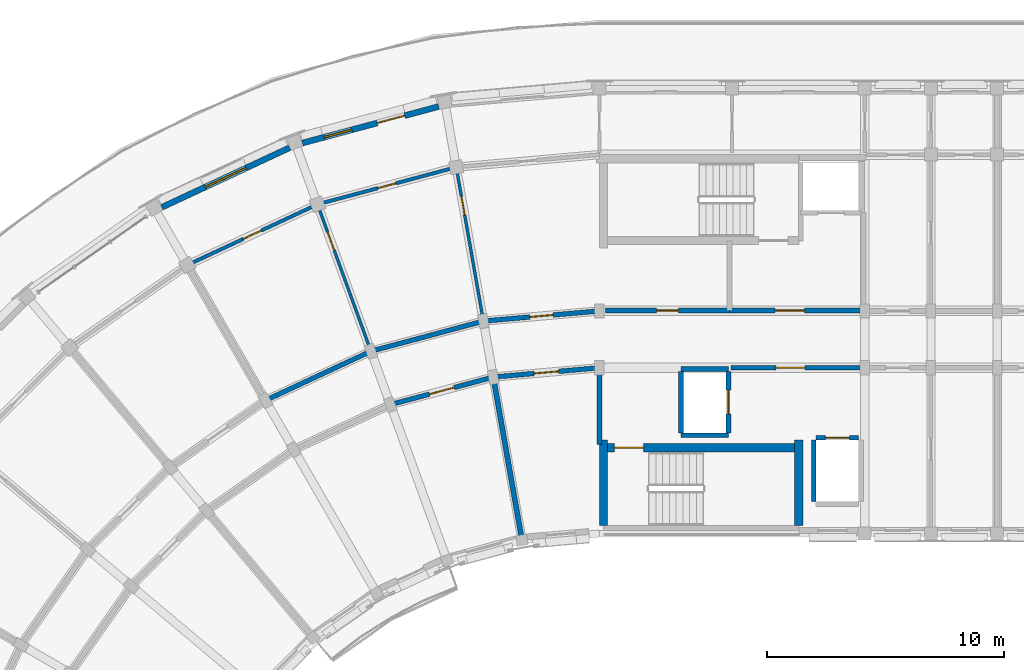
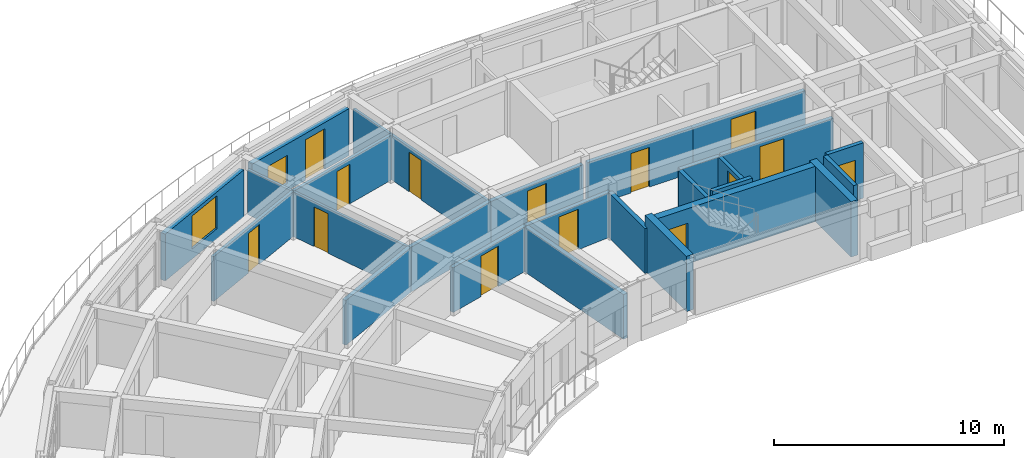
# One storey, part 9 of 16: 25 walls, 14 doors, 2 windows, 16 openings.
"""IFC4 building model written with IfcOpenShell, lengths in metres."""

from ifc_helpers import new_model, si_unit, direction, frame, frame_2d, origin, place, context, subcontext, project, spatial, rectangle, extrude, material, layer, layer_set, type_object, element, fill, save


model = new_model("IFC4")

# Units and contexts
model_context = context("Model", 3, precision=1e-05, world=origin(), true_north=direction((0.0, 1.0)))
body_context = subcontext(model_context, "Body", "Model", "MODEL_VIEW")
ifc_project = project(units=[si_unit("LENGTHUNIT", "METRE"), si_unit("AREAUNIT", "SQUARE_METRE"), si_unit("VOLUMEUNIT", "CUBIC_METRE"), si_unit("PLANEANGLEUNIT", "RADIAN"), si_unit("MASSUNIT", "GRAM", prefix="KILO")], contexts=[model_context])

# Site, building, storey
site_placement = place(None, origin())
site = spatial("IfcSite", under=ifc_project, at=site_placement, CompositionType="ELEMENT")
building_placement = place(site_placement, origin())
building = spatial("IfcBuilding", under=site, at=building_placement, Name="Kiranvali Square Residences", CompositionType="ELEMENT")
storey_placement = place(building_placement, frame((0.0, 0.0, 46.5)))
storey = spatial("IfcBuildingStorey", under=building, at=storey_placement, Name="L14", CompositionType="ELEMENT", Elevation=46.5)

# Wall, opening, door
ifc_material_1 = material(Name="Autoclaved aerated concrete blockwork masonry", Category="masonry")
ifc_layer_1 = layer(ifc_material_1, 0.199951171875)
ifc_layer_set_1 = layer_set([ifc_layer_1], Name="Autoclaved aerated concrete blockwork masonry")
wall_type_1 = type_object("IfcWallType", Name="WL-COR-200", PredefinedType="STANDARD", material=ifc_layer_set_1)
wall_1_placement = place(storey_placement, frame((53.75, 113.60009765625, 0.0), z_axis=(0.0, 0.0, 1.0), x_axis=(1.0, 0.0, 0.0)))
wall_1 = element("IfcWall", 1, at=wall_1_placement, inside=storey, type_object=wall_type_1, Name="L14 architectural wall WL-L14-A-LL-COR", PredefinedType="STANDARD", context=body_context, shape_type="SweptSolid", body=[
    extrude(rectangle(XDim=5.60009765625, YDim=0.199951171875, at=frame_2d((2.800048828125, 0.0))), origin(), (0.0, 0.0, 1.0), 2.3720703125),
])
opening_1_placement = place(wall_1_placement, frame((1.909912109375, 0.0, 0.0)))
opening_1 = element("IfcOpeningElement", 2, at=opening_1_placement, cuts=wall_1, Name="Opening FD-COR-60", PredefinedType="OPENING", context=body_context, shape_type="SweptSolid", body=[
    extrude(rectangle(XDim=1.219970703125, YDim=2.14990234375, at=frame_2d((0.60986328125, 1.074951171875))), frame((0.0, 0.10986328125, 0.0), z_axis=(0.0, -1.0, 0.0), x_axis=(1.0, 0.0, 0.0)), (0.0, 0.0, 1.0), 0.219970703125),
])
ifc_material_2 = material(Name="Fire-rated acoustic hardwood and mineral-core door assembly", Category="wood")
door_type_1 = type_object("IfcDoorType", Name="DR-FD60-1200", OperationType="NOTDEFINED", PredefinedType="DOOR", material=ifc_material_2)
door_1_placement = place(opening_1_placement, frame((1.219970703125, 0.0, 0.0), z_axis=(0.0, 0.0, 1.0), x_axis=(-1.0, 0.0, 0.0)))
door_1 = element("IfcDoor", 3, at=door_1_placement, inside=storey, type_object=door_type_1, Name="L14 door DR-L14-0856 (DR-FD60-1200)", OperationType="SINGLE_SWING_RIGHT", OverallHeight=2.14990234375, OverallWidth=1.219970703125, PredefinedType="DOOR", context=body_context, shape_type="SweptSolid", body=[
    extrude(rectangle(XDim=1.219970703125, YDim=2.14990234375, at=frame_2d((0.60986328125, 1.074951171875))), frame((0.0, 0.02490234375, 0.0), z_axis=(0.0, -1.0, 0.0), x_axis=(1.0, 0.0, 0.0)), (0.0, 0.0, 1.0), 0.050048828125),
])
fill(opening_1, door_1)

wall_2_placement = place(storey_placement, frame((48.199951171875, 113.60009765625, 0.0), z_axis=(0.0, 0.0, 1.0), x_axis=(-0.996191949488, -0.087187153726, 0.0)))
wall_2 = element("IfcWall", 4, at=wall_2_placement, inside=storey, type_object=wall_type_1, Name="L14 architectural wall WL-L14-A-CCI-0", PredefinedType="STANDARD", context=body_context, shape_type="SweptSolid", body=[
    extrude(rectangle(XDim=4.4970703125, YDim=0.199951171875, at=frame_2d((2.24853515625, 0.0))), origin(), (0.0, 0.0, 1.0), 2.3720703125),
])
opening_2_placement = place(wall_2_placement, frame((1.728515625, 0.0, 0.0)))
opening_2 = element("IfcOpeningElement", 5, at=opening_2_placement, cuts=wall_2, Name="Opening FD-APT-60B", PredefinedType="OPENING", context=body_context, shape_type="SweptSolid", body=[
    extrude(rectangle(XDim=1.0400390625, YDim=2.14990234375, at=frame_2d((0.52001953125, 1.074951171875))), frame((0.0, 0.10986328125, 0.0), z_axis=(0.0, -1.0, 0.0), x_axis=(1.0, 0.0, 0.0)), (0.0, 0.0, 1.0), 0.219970703125),
])
door_type_2 = type_object("IfcDoorType", Name="DR-APT-1040", OperationType="NOTDEFINED", PredefinedType="DOOR", material=ifc_material_2)
door_2_placement = place(opening_2_placement, frame((1.0400390625, 0.0, 0.0), z_axis=(0.0, 0.0, 1.0), x_axis=(-1.0, 0.0, 0.0)))
door_2 = element("IfcDoor", 6, at=door_2_placement, inside=storey, type_object=door_type_2, Name="L14 door DR-L14-0890 (DR-APT-1040)", OperationType="SINGLE_SWING_RIGHT", OverallHeight=2.14990234375, OverallWidth=1.0400390625, PredefinedType="DOOR", context=body_context, shape_type="SweptSolid", body=[
    extrude(rectangle(XDim=1.0400390625, YDim=2.14990234375, at=frame_2d((0.52001953125, 1.074951171875))), frame((0.0, 0.02490234375, 0.0), z_axis=(0.0, -1.0, 0.0), x_axis=(1.0, 0.0, 0.0)), (0.0, 0.0, 1.0), 0.050048828125),
])
fill(opening_2, door_2)

wall_3_placement = place(storey_placement, frame((48.199951171875, 116.0, 0.0), z_axis=(0.0, 0.0, 1.0), x_axis=(-0.996193663584, -0.087167566415, 0.0)))
wall_3 = element("IfcWall", 7, at=wall_3_placement, inside=storey, type_object=wall_type_1, Name="L14 architectural wall WL-L14-A-CCO-0", PredefinedType="STANDARD", context=body_context, shape_type="SweptSolid", body=[
    extrude(rectangle(XDim=4.91552734375, YDim=0.199951171875, at=frame_2d((2.457763671875, 0.0))), origin(), (0.0, 0.0, 1.0), 2.3720703125),
])
opening_3_placement = place(wall_3_placement, frame((1.957763671875, 0.0, 0.0)))
opening_3 = element("IfcOpeningElement", 8, at=opening_3_placement, cuts=wall_3, Name="Opening FD-APT-60", PredefinedType="OPENING", context=body_context, shape_type="SweptSolid", body=[
    extrude(rectangle(XDim=1.0, YDim=2.14990234375, at=frame_2d((0.5, 1.074951171875))), frame((0.0, 0.10986328125, 0.0), z_axis=(0.0, -1.0, 0.0), x_axis=(1.0, 0.0, 0.0)), (0.0, 0.0, 1.0), 0.219970703125),
])
door_type_3 = type_object("IfcDoorType", Name="DR-APT-1000", OperationType="NOTDEFINED", PredefinedType="DOOR", material=ifc_material_2)
door_3_placement = place(opening_3_placement, frame((1.0, 0.0, 0.0), z_axis=(0.0, 0.0, 1.0), x_axis=(-1.0, 0.0, 0.0)))
door_3 = element("IfcDoor", 9, at=door_3_placement, inside=storey, type_object=door_type_3, Name="L14 door DR-L14-0876 (DR-APT-1000)", OperationType="SINGLE_SWING_RIGHT", OverallHeight=2.14990234375, OverallWidth=1.0, PredefinedType="DOOR", context=body_context, shape_type="SweptSolid", body=[
    extrude(rectangle(XDim=1.0, YDim=2.14990234375, at=frame_2d((0.5, 1.074951171875))), frame((0.0, 0.02490234375, 0.0), z_axis=(0.0, -1.0, 0.0), x_axis=(1.0, 0.0, 0.0)), (0.0, 0.0, 1.0), 0.050048828125),
])
fill(opening_3, door_3)

wall_4_placement = place(storey_placement, frame((43.719970703125, 113.2080078125, 0.0), z_axis=(0.0, 0.0, 1.0), x_axis=(-0.965934240054, -0.258787642463, 0.0)))
wall_4 = element("IfcWall", 10, at=wall_4_placement, inside=storey, type_object=wall_type_1, Name="L14 architectural wall WL-L14-A-CCI-1", PredefinedType="STANDARD", context=body_context, shape_type="SweptSolid", body=[
    extrude(rectangle(XDim=4.497314453125, YDim=0.199951171875, at=frame_2d((2.24853515625, 0.0))), origin(), (0.0, 0.0, 1.0), 2.3720703125),
])
opening_4_placement = place(wall_4_placement, frame((1.708740234375, 0.0, 0.0)))
opening_4 = element("IfcOpeningElement", 11, at=opening_4_placement, cuts=wall_4, Name="Opening FD-APT-60C", PredefinedType="OPENING", context=body_context, shape_type="SweptSolid", body=[
    extrude(rectangle(XDim=1.080078125, YDim=2.14990234375, at=frame_2d((0.5400390625, 1.074951171875))), frame((0.0, 0.10986328125, 0.0), z_axis=(0.0, -1.0, 0.0), x_axis=(1.0, 0.0, 0.0)), (0.0, 0.0, 1.0), 0.219970703125),
])
door_type_4 = type_object("IfcDoorType", Name="DR-APT-1080", OperationType="NOTDEFINED", PredefinedType="DOOR", material=ifc_material_2)
door_4_placement = place(opening_4_placement, origin())
door_4 = element("IfcDoor", 12, at=door_4_placement, inside=storey, type_object=door_type_4, Name="L14 door DR-L14-0891 (DR-APT-1080)", OperationType="SINGLE_SWING_LEFT", OverallHeight=2.14990234375, OverallWidth=1.080078125, PredefinedType="DOOR", context=body_context, shape_type="SweptSolid", body=[
    extrude(rectangle(XDim=1.080078125, YDim=2.14990234375, at=frame_2d((0.5400390625, 1.074951171875))), frame((0.0, 0.02490234375, 0.0), z_axis=(0.0, -1.0, 0.0), x_axis=(1.0, 0.0, 0.0)), (0.0, 0.0, 1.0), 0.050048828125),
])
fill(opening_4, door_4)

# Walls
wall_5_placement = place(storey_placement, frame((43.30322265625, 115.571533203125, 0.0), z_axis=(0.0, 0.0, 1.0), x_axis=(-0.965930095386, -0.258803112091, 0.0)))
element("IfcWall", 13, at=wall_5_placement, inside=storey, type_object=wall_type_1, Name="L14 architectural wall WL-L14-A-CCO-1", PredefinedType="STANDARD", context=body_context, shape_type="SweptSolid", body=[
    extrude(rectangle(XDim=4.915771484375, YDim=0.199951171875, at=frame_2d((2.4580078125, 0.0))), origin(), (0.0, 0.0, 1.0), 2.3720703125),
])
wall_6_placement = place(storey_placement, frame((38.554931640625, 114.29931640625, 0.0), z_axis=(0.0, 0.0, 1.0), x_axis=(-0.906302381024, -0.422629854778, 0.0)))
element("IfcWall", 14, at=wall_6_placement, inside=storey, type_object=wall_type_1, Name="L14 architectural wall WL-L14-A-CCO-2", PredefinedType="STANDARD", context=body_context, shape_type="SweptSolid", body=[
    extrude(rectangle(XDim=4.915283203125, YDim=0.199951171875, at=frame_2d((2.45751953125, 0.0))), origin(), (0.0, 0.0, 1.0), 2.3720703125),
])
ifc_layer_2 = layer(ifc_material_1, 0.219970703125)
ifc_layer_set_2 = layer_set([ifc_layer_2], Name="Autoclaved aerated concrete blockwork masonry")
wall_type_2 = type_object("IfcWallType", Name="WL-DEM-220", PredefinedType="STANDARD", material=ifc_layer_set_2)
wall_7_placement = place(storey_placement, frame((48.199951171875, 110.35009765625, 0.0), z_axis=(0.0, 0.0, 1.0), x_axis=(0.0, 1.0, 0.0)))
element("IfcWall", 15, at=wall_7_placement, inside=storey, type_object=wall_type_2, Name="L14 architectural wall WL-L14-A-RADI-0", PredefinedType="STANDARD", context=body_context, shape_type="SweptSolid", body=[
    extrude(rectangle(XDim=3.199951171875, YDim=0.219970703125, at=frame_2d((1.60009765625, 0.0))), origin(), (0.0, 0.0, 1.0), 2.3720703125),
])
wall_8_placement = place(storey_placement, frame((44.900634765625, 106.51123046875, 0.0), z_axis=(0.0, 0.0, 1.0), x_axis=(-0.173647089161, 0.984807944945, 0.0)))
element("IfcWall", 16, at=wall_8_placement, inside=storey, type_object=wall_type_2, Name="L14 architectural wall WL-L14-A-RADI-1", PredefinedType="STANDARD", context=body_context, shape_type="SweptSolid", body=[
    extrude(rectangle(XDim=6.75, YDim=0.219970703125, at=frame_2d((3.375, 0.0))), origin(), (0.0, 0.0, 1.0), 2.3720703125),
])

# Wall, openings, door, window
ifc_material_3 = material(Name="Breathable lime-rendered clay brick masonry", Category="masonry")
ifc_layer_3 = layer(ifc_material_3, 0.25)
ifc_layer_set_3 = layer_set([ifc_layer_3], Name="Breathable lime-rendered clay brick masonry")
wall_type_3 = type_object("IfcWallType", Name="WL-EXT-250", PredefinedType="STANDARD", material=ifc_layer_set_3)
wall_9_placement = place(storey_placement, frame((41.412841796875, 124.63037109375, 0.0), z_axis=(0.0, 0.0, 1.0), x_axis=(-0.965925901434, -0.258818764656, 0.0)))
wall_9 = element("IfcWall", 17, at=wall_9_placement, inside=storey, type_object=wall_type_3, Name="L14 exterior wall A-L14-CRV-01", PredefinedType="STANDARD", context=body_context, shape_type="SweptSolid", body=[
    extrude(rectangle(XDim=5.953125, YDim=0.25, at=frame_2d((2.9765625, 0.0))), origin(), (0.0, 0.0, 1.0), 2.47998046875),
])
opening_5_placement = place(wall_9_placement, frame((3.79345703125, 0.0, 0.3798828125)))
opening_5 = element("IfcOpeningElement", 18, at=opening_5_placement, cuts=wall_9, Name="Opening W-06", PredefinedType="OPENING", context=body_context, shape_type="SweptSolid", body=[
    extrude(rectangle(XDim=1.199951171875, YDim=1.5, at=frame_2d((0.60009765625, 0.75))), frame((0.0, 0.135009765625, 0.0), z_axis=(0.0, -1.0, 0.0), x_axis=(1.0, 0.0, 0.0)), (0.0, 0.0, 1.0), 0.27001953125),
])
opening_6_placement = place(wall_9_placement, frame((1.483642578125, 0.0, 0.0)))
opening_6 = element("IfcOpeningElement", 19, at=opening_6_placement, cuts=wall_9, Name="Opening ED-BAL-1", PredefinedType="OPENING", context=body_context, shape_type="SweptSolid", body=[
    extrude(rectangle(XDim=1.199951171875, YDim=2.14990234375, at=frame_2d((0.60009765625, 1.074951171875))), frame((0.0, 0.135009765625, 0.0), z_axis=(0.0, -1.0, 0.0), x_axis=(1.0, 0.0, 0.0)), (0.0, 0.0, 1.0), 0.27001953125),
])
ifc_material_4 = material(Name="Anodised bronze aluminium framing", Category="aluminium")
door_type_5 = type_object("IfcDoorType", Name="DR-BAL-1200", OperationType="NOTDEFINED", PredefinedType="DOOR", material=ifc_material_4)
door_5_placement = place(opening_6_placement, frame((1.199951171875, 0.0, 0.0), z_axis=(0.0, 0.0, 1.0), x_axis=(-1.0, 0.0, 0.0)))
door_5 = element("IfcDoor", 20, at=door_5_placement, inside=storey, type_object=door_type_5, Name="L14 balcony terrace door", OperationType="SINGLE_SWING_RIGHT", OverallHeight=2.14990234375, OverallWidth=1.199951171875, PredefinedType="DOOR", context=body_context, shape_type="SweptSolid", body=[
    extrude(rectangle(XDim=1.199951171875, YDim=2.14990234375, at=frame_2d((0.60009765625, 1.074951171875))), frame((0.0, 0.02490234375, 0.0), z_axis=(0.0, -1.0, 0.0), x_axis=(1.0, 0.0, 0.0)), (0.0, 0.0, 1.0), 0.050048828125),
])
fill(opening_6, door_5)
ifc_material_5 = material(Name="Solar-control low-e double glazing", Category="glass")
window_type_1 = type_object("IfcWindowType", Name="WIN-RES-1200x1500", PartitioningType="SINGLE_PANEL", PredefinedType="WINDOW", material=ifc_material_5)
window_1_placement = place(opening_5_placement, origin())
window_1 = element("IfcWindow", 21, at=window_1_placement, inside=storey, type_object=window_type_1, Name="L14 recessed window A-L14-CRV-01", OverallHeight=1.5, OverallWidth=1.199951171875, PartitioningType="SINGLE_PANEL", PredefinedType="WINDOW", context=body_context, shape_type="SweptSolid", body=[
    extrude(rectangle(XDim=1.199951171875, YDim=1.5, at=frame_2d((0.60009765625, 0.75))), frame((0.0, 0.030029296875, 0.0), z_axis=(0.0, -1.0, 0.0), x_axis=(1.0, 0.0, 0.0)), (0.0, 0.0, 1.0), 0.06005859375),
])
fill(opening_5, window_1)

# Wall, opening, window
wall_10_placement = place(storey_placement, frame((35.120361328125, 122.89208984375, 0.0), z_axis=(0.0, 0.0, 1.0), x_axis=(-0.90629940826, -0.422636229619, 0.0)))
wall_10 = element("IfcWall", 22, at=wall_10_placement, inside=storey, type_object=wall_type_3, Name="L14 exterior wall A-L14-CRV-02", PredefinedType="STANDARD", context=body_context, shape_type="SweptSolid", body=[
    extrude(rectangle(XDim=5.952880859375, YDim=0.25, at=frame_2d((2.9765625, 0.0))), origin(), (0.0, 0.0, 1.0), 2.47998046875),
])
opening_7_placement = place(wall_10_placement, frame((2.026611328125, 0.0, 0.530029296875)))
opening_7 = element("IfcOpeningElement", 23, at=opening_7_placement, cuts=wall_10, Name="Opening W-21", PredefinedType="OPENING", context=body_context, shape_type="SweptSolid", body=[
    extrude(rectangle(XDim=1.89990234375, YDim=1.75, at=frame_2d((0.949951171875, 0.875))), frame((0.0, 0.135009765625, 0.0), z_axis=(0.0, -1.0, 0.0), x_axis=(1.0, 0.0, 0.0)), (0.0, 0.0, 1.0), 0.27001953125),
])
window_type_2 = type_object("IfcWindowType", Name="WIN-TER-1900x1750", PartitioningType="DOUBLE_PANEL_VERTICAL", PredefinedType="WINDOW", material=ifc_material_5)
window_2_placement = place(opening_7_placement, origin())
window_2 = element("IfcWindow", 24, at=window_2_placement, inside=storey, type_object=window_type_2, Name="L14 recessed window A-L14-CRV-02", OverallHeight=1.75, OverallWidth=1.89990234375, PartitioningType="DOUBLE_PANEL_VERTICAL", PredefinedType="WINDOW", context=body_context, shape_type="SweptSolid", body=[
    extrude(rectangle(XDim=1.89990234375, YDim=1.75, at=frame_2d((0.949951171875, 0.875))), frame((0.0, 0.030029296875, 0.0), z_axis=(0.0, -1.0, 0.0), x_axis=(1.0, 0.0, 0.0)), (0.0, 0.0, 1.0), 0.06005859375),
])
fill(opening_7, window_2)

# Wall, opening, door
ifc_layer_4 = layer(ifc_material_1, 0.199951171875)
ifc_layer_set_4 = layer_set([ifc_layer_4], Name="Autoclaved aerated concrete blockwork masonry")
wall_type_4 = type_object("IfcWallType", Name="WL-FFL-200", PredefinedType="STANDARD", material=ifc_layer_set_4)
wall_11_placement = place(storey_placement, frame((53.699951171875, 116.02001953125, 0.0), z_axis=(0.0, 0.0, 1.0), x_axis=(1.0, 0.0, 0.0)))
wall_11 = element("IfcWall", 25, at=wall_11_placement, inside=storey, type_object=wall_type_4, Name="L14 architectural wall WL-L14-A-FF-COR", PredefinedType="STANDARD", context=body_context, shape_type="SweptSolid", body=[
    extrude(rectangle(XDim=5.650146484375, YDim=0.199951171875, at=frame_2d((2.8251953125, 0.0))), origin(), (0.0, 0.0, 1.0), 2.3720703125),
])
opening_8_placement = place(wall_11_placement, frame((1.922607421875, 0.0, 0.0)))
opening_8 = element("IfcOpeningElement", 26, at=opening_8_placement, cuts=wall_11, Name="Opening FD-ST-120", PredefinedType="OPENING", context=body_context, shape_type="SweptSolid", body=[
    extrude(rectangle(XDim=1.239990234375, YDim=2.14990234375, at=frame_2d((0.6201171875, 1.074951171875))), frame((0.0, 0.10986328125, 0.0), z_axis=(0.0, -1.0, 0.0), x_axis=(1.0, 0.0, 0.0)), (0.0, 0.0, 1.0), 0.219970703125),
])
door_type_6 = type_object("IfcDoorType", Name="DR-FD120-1200", OperationType="NOTDEFINED", PredefinedType="DOOR", material=ifc_material_2)
door_6_placement = place(opening_8_placement, frame((1.239990234375, 0.0, 0.0), z_axis=(0.0, 0.0, 1.0), x_axis=(-1.0, 0.0, 0.0)))
door_6 = element("IfcDoor", 27, at=door_6_placement, inside=storey, type_object=door_type_6, Name="L14 door DR-L14-0848 (DR-FD120-1200)", OperationType="SINGLE_SWING_RIGHT", OverallHeight=2.14990234375, OverallWidth=1.239990234375, PredefinedType="DOOR", context=body_context, shape_type="SweptSolid", body=[
    extrude(rectangle(XDim=1.239990234375, YDim=2.14990234375, at=frame_2d((0.6201171875, 1.074951171875))), frame((0.0, 0.02490234375, 0.0), z_axis=(0.0, -1.0, 0.0), x_axis=(1.0, 0.0, 0.0)), (0.0, 0.0, 1.0), 0.050048828125),
])
fill(opening_8, door_6)

ifc_material_6 = material(Name="Acoustic gypsum board drylined partition", Category="gypsum")
ifc_layer_5 = layer(ifc_material_6, 0.125)
ifc_layer_set_5 = layer_set([ifc_layer_5], Name="Acoustic gypsum board drylined partition")
wall_type_5 = type_object("IfcWallType", Name="WL-PRT-125", PredefinedType="PARTITIONING", material=ifc_layer_set_5)
wall_12_placement = place(storey_placement, frame((43.28564453125, 115.670166015625, 0.0), z_axis=(0.0, 0.0, 1.0), x_axis=(-0.173635554464, 0.98480997874, 0.0)))
wall_12 = element("IfcWall", 28, at=wall_12_placement, inside=storey, type_object=wall_type_5, Name="L14 architectural wall WL-L14-A-RADO-1", PredefinedType="PARTITIONING", context=body_context, shape_type="SweptSolid", body=[
    extrude(rectangle(XDim=9.019775390625, YDim=0.125, at=frame_2d((4.509765625, 0.0))), origin(), (0.0, 0.0, 1.0), 2.3720703125),
])
opening_9_placement = place(wall_12_placement, frame((4.449951171875, 0.0, 0.0)))
opening_9 = element("IfcOpeningElement", 29, at=opening_9_placement, cuts=wall_12, Name="Opening ID-WET", PredefinedType="OPENING", context=body_context, shape_type="SweptSolid", body=[
    extrude(rectangle(XDim=0.800048828125, YDim=2.10009765625, at=frame_2d((0.39990234375, 1.050048828125))), frame((0.0, 0.072509765625, 0.0), z_axis=(0.0, -1.0, 0.0), x_axis=(1.0, 0.0, 0.0)), (0.0, 0.0, 1.0), 0.14501953125),
])
ifc_material_7 = material(Name="Solid seasoned teak hardwood joinery", Category="wood")
door_type_7 = type_object("IfcDoorType", Name="DR-WET-800", OperationType="NOTDEFINED", PredefinedType="DOOR", material=ifc_material_7)
door_7_placement = place(opening_9_placement, frame((0.800048828125, 0.0, 0.0), z_axis=(0.0, 0.0, 1.0), x_axis=(-1.0, 0.0, 0.0)))
door_7 = element("IfcDoor", 30, at=door_7_placement, inside=storey, type_object=door_type_7, Name="L14 door DR-L14-0872 (DR-WET-800)", OperationType="SINGLE_SWING_RIGHT", OverallHeight=2.10009765625, OverallWidth=0.800048828125, PredefinedType="DOOR", context=body_context, shape_type="SweptSolid", body=[
    extrude(rectangle(XDim=0.800048828125, YDim=2.10009765625, at=frame_2d((0.39990234375, 1.050048828125))), frame((0.0, 0.02490234375, 0.0), z_axis=(0.0, -1.0, 0.0), x_axis=(1.0, 0.0, 0.0)), (0.0, 0.0, 1.0), 0.050048828125),
])
fill(opening_9, door_7)

wall_13_placement = place(storey_placement, frame((38.520751953125, 114.393310546875, 0.0), z_axis=(0.0, 0.0, 1.0), x_axis=(-0.342012528828, 0.939695392201, 0.0)))
wall_13 = element("IfcWall", 31, at=wall_13_placement, inside=storey, type_object=wall_type_5, Name="L14 architectural wall WL-L14-A-RADO-2", PredefinedType="PARTITIONING", context=body_context, shape_type="SweptSolid", body=[
    extrude(rectangle(XDim=9.02001953125, YDim=0.125, at=frame_2d((4.510009765625, 0.0))), origin(), (0.0, 0.0, 1.0), 2.3720703125),
])
opening_10_placement = place(wall_13_placement, frame((4.449951171875, 0.0, 0.0)))
opening_10 = element("IfcOpeningElement", 32, at=opening_10_placement, cuts=wall_13, Name="Opening ID-WET", PredefinedType="OPENING", context=body_context, shape_type="SweptSolid", body=[
    extrude(rectangle(XDim=0.800048828125, YDim=2.10009765625, at=frame_2d((0.39990234375, 1.050048828125))), frame((0.0, 0.072509765625, 0.0), z_axis=(0.0, -1.0, 0.0), x_axis=(1.0, 0.0, 0.0)), (0.0, 0.0, 1.0), 0.14501953125),
])
door_8_placement = place(opening_10_placement, origin())
door_8 = element("IfcDoor", 33, at=door_8_placement, inside=storey, type_object=door_type_7, Name="L14 door DR-L14-0873 (DR-WET-800)", OperationType="SINGLE_SWING_LEFT", OverallHeight=2.10009765625, OverallWidth=0.800048828125, PredefinedType="DOOR", context=body_context, shape_type="SweptSolid", body=[
    extrude(rectangle(XDim=0.800048828125, YDim=2.10009765625, at=frame_2d((0.39990234375, 1.050048828125))), frame((0.0, 0.02490234375, 0.0), z_axis=(0.0, -1.0, 0.0), x_axis=(1.0, 0.0, 0.0)), (0.0, 0.0, 1.0), 0.050048828125),
])
fill(opening_10, door_8)

ifc_layer_6 = layer(ifc_material_1, 0.199951171875)
ifc_layer_set_6 = layer_set([ifc_layer_6], Name="Autoclaved aerated concrete blockwork masonry")
wall_type_6 = type_object("IfcWallType", Name="WL-SHF-200", PredefinedType="STANDARD", material=ifc_layer_set_6)
wall_14_placement = place(storey_placement, frame((48.449951171875, 116.02001953125, 0.0), z_axis=(0.0, 0.0, 1.0), x_axis=(1.0, 0.0, 0.0)))
wall_14 = element("IfcWall", 34, at=wall_14_placement, inside=storey, type_object=wall_type_6, Name="L14 architectural wall WL-L14-A-RSR-COR", PredefinedType="STANDARD", context=body_context, shape_type="SweptSolid", body=[
    extrude(rectangle(XDim=5.25, YDim=0.199951171875, at=frame_2d((2.625, 0.0))), origin(), (0.0, 0.0, 1.0), 2.3720703125),
])
opening_11_placement = place(wall_14_placement, frame((2.1650390625, 0.0, 0.0)))
opening_11 = element("IfcOpeningElement", 35, at=opening_11_placement, cuts=wall_14, Name="Opening FD-SVC-120", PredefinedType="OPENING", context=body_context, shape_type="SweptSolid", body=[
    extrude(rectangle(XDim=0.919921875, YDim=2.10009765625, at=frame_2d((0.4599609375, 1.050048828125))), frame((0.0, 0.10986328125, 0.0), z_axis=(0.0, -1.0, 0.0), x_axis=(1.0, 0.0, 0.0)), (0.0, 0.0, 1.0), 0.219970703125),
])
door_type_8 = type_object("IfcDoorType", Name="DR-SVC-900", OperationType="NOTDEFINED", PredefinedType="DOOR", material=ifc_material_2)
door_9_placement = place(opening_11_placement, origin())
door_9 = element("IfcDoor", 36, at=door_9_placement, inside=storey, type_object=door_type_8, Name="L14 door DR-L14-0849 (DR-SVC-900)", OperationType="SINGLE_SWING_LEFT", OverallHeight=2.10009765625, OverallWidth=0.919921875, PredefinedType="DOOR", context=body_context, shape_type="SweptSolid", body=[
    extrude(rectangle(XDim=0.919921875, YDim=2.10009765625, at=frame_2d((0.4599609375, 1.050048828125))), frame((0.0, 0.02490234375, 0.0), z_axis=(0.0, -1.0, 0.0), x_axis=(1.0, 0.0, 0.0)), (0.0, 0.0, 1.0), 0.050048828125),
])
fill(opening_11, door_9)

# Wall
wall_15_placement = place(storey_placement, frame((57.25, 107.949951171875, 0.0), z_axis=(0.0, 0.0, 1.0), x_axis=(0.0, 1.0, 0.0)))
element("IfcWall", 37, at=wall_15_placement, inside=storey, type_object=wall_type_6, Name="L14 architectural wall WL-L14-A-LP1-S1", PredefinedType="STANDARD", context=body_context, shape_type="SweptSolid", body=[
    extrude(rectangle(XDim=2.60009765625, YDim=0.199951171875, at=frame_2d((1.300048828125, 0.0))), origin(), (0.0, 0.0, 1.0), 2.929931640625),
])

# Wall, opening, door
wall_16_placement = place(storey_placement, frame((57.35009765625, 110.64990234375, 0.0), z_axis=(0.0, 0.0, 1.0), x_axis=(1.0, 0.0, 0.0)))
wall_16 = element("IfcWall", 38, at=wall_16_placement, inside=storey, type_object=wall_type_6, Name="L14 architectural wall WL-L14-A-LP1-F", PredefinedType="STANDARD", context=body_context, shape_type="SweptSolid", body=[
    extrude(rectangle(XDim=1.7998046875, YDim=0.199951171875, at=frame_2d((0.89990234375, 0.0))), origin(), (0.0, 0.0, 1.0), 2.929931640625),
])
opening_12_placement = place(wall_16_placement, frame((0.389892578125, 0.0, 0.0)))
opening_12 = element("IfcOpeningElement", 39, at=opening_12_placement, cuts=wall_16, Name="Opening LD-PAX-100", PredefinedType="OPENING", context=body_context, shape_type="SweptSolid", body=[
    extrude(rectangle(XDim=1.02001953125, YDim=2.14990234375, at=frame_2d((0.510009765625, 1.074951171875))), frame((0.0, 0.10986328125, 0.0), z_axis=(0.0, -1.0, 0.0), x_axis=(1.0, 0.0, 0.0)), (0.0, 0.0, 1.0), 0.219970703125),
])
door_type_9 = type_object("IfcDoorType", Name="DR-LIFT-1000", OperationType="SLIDING_TO_RIGHT", PredefinedType="DOOR", material=ifc_material_2)
door_10_placement = place(opening_12_placement, origin())
door_10 = element("IfcDoor", 40, at=door_10_placement, inside=storey, type_object=door_type_9, Name="L14 door DR-L14-0854 (DR-LIFT-1000)", OperationType="SLIDING_TO_RIGHT", OverallHeight=2.14990234375, OverallWidth=1.02001953125, PredefinedType="DOOR", context=body_context, shape_type="SweptSolid", body=[
    extrude(rectangle(XDim=1.02001953125, YDim=2.14990234375, at=frame_2d((0.510009765625, 1.074951171875))), frame((0.0, 0.02490234375, 0.0), z_axis=(0.0, -1.0, 0.0), x_axis=(1.0, 0.0, 0.0)), (0.0, 0.0, 1.0), 0.050048828125),
])
fill(opening_12, door_10)

# Walls
wall_17_placement = place(storey_placement, frame((51.64990234375, 110.75, 0.0), z_axis=(0.0, 0.0, 1.0), x_axis=(1.0, 0.0, 0.0)))
element("IfcWall", 41, at=wall_17_placement, inside=storey, type_object=wall_type_6, Name="L14 architectural wall WL-L14-A-LP2-S0", PredefinedType="STANDARD", context=body_context, shape_type="SweptSolid", body=[
    extrude(rectangle(XDim=2.0, YDim=0.199951171875, at=frame_2d((1.0, 0.0))), origin(), (0.0, 0.0, 1.0), 2.929931640625),
])
wall_18_placement = place(storey_placement, frame((51.64990234375, 113.550048828125, 0.0), z_axis=(0.0, 0.0, 1.0), x_axis=(1.0, 0.0, 0.0)))
element("IfcWall", 42, at=wall_18_placement, inside=storey, type_object=wall_type_6, Name="L14 architectural wall WL-L14-A-LP2-B", PredefinedType="STANDARD", context=body_context, shape_type="SweptSolid", body=[
    extrude(rectangle(XDim=2.0, YDim=0.199951171875, at=frame_2d((1.0, 0.0))), origin(), (0.0, 0.0, 1.0), 2.3720703125),
])
wall_19_placement = place(storey_placement, frame((51.64990234375, 110.85009765625, 0.0), z_axis=(0.0, 0.0, 1.0), x_axis=(0.0, 1.0, 0.0)))
element("IfcWall", 43, at=wall_19_placement, inside=storey, type_object=wall_type_6, Name="L14 architectural wall WL-L14-A-LP2-S1", PredefinedType="STANDARD", context=body_context, shape_type="SweptSolid", body=[
    extrude(rectangle(XDim=2.599853515625, YDim=0.199951171875, at=frame_2d((1.2998046875, 0.0))), origin(), (0.0, 0.0, 1.0), 2.3720703125),
])

# Wall, opening, door
wall_20_placement = place(storey_placement, frame((53.64990234375, 110.85009765625, 0.0), z_axis=(0.0, 0.0, 1.0), x_axis=(0.0, 1.0, 0.0)))
wall_20 = element("IfcWall", 44, at=wall_20_placement, inside=storey, type_object=wall_type_6, Name="L14 architectural wall WL-L14-A-LP2-F", PredefinedType="STANDARD", context=body_context, shape_type="SweptSolid", body=[
    extrude(rectangle(XDim=2.599853515625, YDim=0.199951171875, at=frame_2d((1.2998046875, 0.0))), origin(), (0.0, 0.0, 1.0), 2.3720703125),
])
opening_13_placement = place(wall_20_placement, frame((0.7900390625, 0.0, 0.0)))
opening_13 = element("IfcOpeningElement", 45, at=opening_13_placement, cuts=wall_20, Name="Opening LD-PAX-100", PredefinedType="OPENING", context=body_context, shape_type="SweptSolid", body=[
    extrude(rectangle(XDim=1.02001953125, YDim=2.14990234375, at=frame_2d((0.510009765625, 1.074951171875))), frame((0.0, 0.10986328125, 0.0), z_axis=(0.0, -1.0, 0.0), x_axis=(1.0, 0.0, 0.0)), (0.0, 0.0, 1.0), 0.219970703125),
])
door_11_placement = place(opening_13_placement, origin())
door_11 = element("IfcDoor", 46, at=door_11_placement, inside=storey, type_object=door_type_9, Name="L14 door DR-L14-0855 (DR-LIFT-1000)", OperationType="SLIDING_TO_RIGHT", OverallHeight=2.14990234375, OverallWidth=1.02001953125, PredefinedType="DOOR", context=body_context, shape_type="SweptSolid", body=[
    extrude(rectangle(XDim=1.02001953125, YDim=2.14990234375, at=frame_2d((0.510009765625, 1.074951171875))), frame((0.0, 0.02490234375, 0.0), z_axis=(0.0, -1.0, 0.0), x_axis=(1.0, 0.0, 0.0)), (0.0, 0.0, 1.0), 0.050048828125),
])
fill(opening_13, door_11)

ifc_material_8 = material(Name="Concrete M45 (45 MPa)", Category="concrete")
ifc_layer_7 = layer(ifc_material_8, 0.320068359375)
ifc_layer_set_7 = layer_set([ifc_layer_7], Name="Concrete M45 (45 MPa)")
wall_type_7 = type_object("IfcWallType", Name="WL-SHR-320", PredefinedType="SHEAR", material=ifc_layer_set_7)
wall_21_placement = place(storey_placement, frame((48.550048828125, 110.22509765625, 0.0), z_axis=(0.0, 0.0, 1.0), x_axis=(1.0, 0.0, 0.0)))
wall_21 = element("IfcWall", 47, at=wall_21_placement, inside=storey, type_object=wall_type_7, Name="Block A core shear wall SW-A2-IN-L14", PredefinedType="SHEAR", context=body_context, shape_type="SweptSolid", body=[
    extrude(rectangle(XDim=7.89990234375, YDim=0.35009765625, at=frame_2d((3.949951171875, 0.0))), origin(), (0.0, 0.0, 1.0), 2.929931640625),
])
opening_14_placement = place(wall_21_placement, frame((0.280029296875, 0.0, 0.0)))
opening_14 = element("IfcOpeningElement", 48, at=opening_14_placement, cuts=wall_21, Name="Opening FD-ST-120", PredefinedType="OPENING", context=body_context, shape_type="SweptSolid", body=[
    extrude(rectangle(XDim=1.239990234375, YDim=2.14990234375, at=frame_2d((0.6201171875, 1.074951171875))), frame((0.0, 0.18505859375, 0.0), z_axis=(0.0, -1.0, 0.0), x_axis=(1.0, 0.0, 0.0)), (0.0, 0.0, 1.0), 0.3701171875),
])
door_12_placement = place(opening_14_placement, frame((1.239990234375, 0.0, 0.0), z_axis=(0.0, 0.0, 1.0), x_axis=(-1.0, 0.0, 0.0)))
door_12 = element("IfcDoor", 49, at=door_12_placement, inside=storey, type_object=door_type_6, Name="L14 door DR-L14-0852 (DR-FD120-1200)", OperationType="SINGLE_SWING_RIGHT", OverallHeight=2.14990234375, OverallWidth=1.239990234375, PredefinedType="DOOR", context=body_context, shape_type="SweptSolid", body=[
    extrude(rectangle(XDim=1.239990234375, YDim=2.14990234375, at=frame_2d((0.6201171875, 1.074951171875))), frame((0.0, 0.02490234375, 0.0), z_axis=(0.0, -1.0, 0.0), x_axis=(1.0, 0.0, 0.0)), (0.0, 0.0, 1.0), 0.050048828125),
])
fill(opening_14, door_12)

# Walls
for number, where, z_axis, x_axis, name in (
    (50, (48.375, 106.949951171875, 0.0), (0.0, 0.0, 1.0), (0.0, 1.0, 0.0), "Block A core shear wall SW-A2-NEAR-L14"),
    (51, (56.625, 106.949951171875, 0.0), (0.0, 0.0, 1.0), (0.0, 1.0, 0.0), "Block A core shear wall SW-A2-FAR-L14"),
):
    element("IfcWall", number, at=place(storey_placement, frame(where, z_axis=z_axis, x_axis=x_axis)), inside=storey, type_object=wall_type_7, Name=name, PredefinedType="SHEAR", context=body_context, shape_type="SweptSolid", body=[
        extrude(rectangle(XDim=3.60009765625, YDim=0.35009765625, at=frame_2d((1.800048828125, 0.0))), origin(), (0.0, 0.0, 1.0), 2.929931640625),
    ])

# Wall, opening, door
ifc_layer_8 = layer(ifc_material_1, 0.14990234375)
ifc_layer_set_8 = layer_set([ifc_layer_8], Name="Autoclaved aerated concrete blockwork masonry")
wall_type_8 = type_object("IfcWallType", Name="WL-WET-150", PredefinedType="PLUMBINGWALL", material=ifc_layer_set_8)
wall_22_placement = place(storey_placement, frame((42.156982421875, 122.0712890625, 0.0), z_axis=(0.0, 0.0, 1.0), x_axis=(-0.965923618901, -0.258827283048, 0.0)))
wall_22 = element("IfcWall", 52, at=wall_22_placement, inside=storey, type_object=wall_type_8, Name="L14 architectural wall WL-L14-A-CWET-1", PredefinedType="PLUMBINGWALL", context=body_context, shape_type="SweptSolid", body=[
    extrude(rectangle(XDim=6.066162109375, YDim=0.14990234375, at=frame_2d((3.033203125, 0.0))), origin(), (0.0, 0.0, 1.0), 2.3720703125),
])
opening_15_placement = place(wall_22_placement, frame((2.633056640625, 0.0, 0.0)))
opening_15 = element("IfcOpeningElement", 53, at=opening_15_placement, cuts=wall_22, Name="Opening ID-WET", PredefinedType="OPENING", context=body_context, shape_type="SweptSolid", body=[
    extrude(rectangle(XDim=0.800048828125, YDim=2.10009765625, at=frame_2d((0.39990234375, 1.050048828125))), frame((0.0, 0.0849609375, 0.0), z_axis=(0.0, -1.0, 0.0), x_axis=(1.0, 0.0, 0.0)), (0.0, 0.0, 1.0), 0.169921875),
])
door_13_placement = place(opening_15_placement, frame((0.800048828125, 0.0, 0.0), z_axis=(0.0, 0.0, 1.0), x_axis=(-1.0, 0.0, 0.0)))
door_13 = element("IfcDoor", 54, at=door_13_placement, inside=storey, type_object=door_type_7, Name="L14 door DR-L14-0878 (DR-WET-800)", OperationType="SINGLE_SWING_RIGHT", OverallHeight=2.10009765625, OverallWidth=0.800048828125, PredefinedType="DOOR", context=body_context, shape_type="SweptSolid", body=[
    extrude(rectangle(XDim=0.800048828125, YDim=2.10009765625, at=frame_2d((0.39990234375, 1.050048828125))), frame((0.0, 0.02490234375, 0.0), z_axis=(0.0, -1.0, 0.0), x_axis=(1.0, 0.0, 0.0)), (0.0, 0.0, 1.0), 0.050048828125),
])
fill(opening_15, door_13)

wall_23_placement = place(storey_placement, frame((36.297607421875, 120.501220703125, 0.0), z_axis=(0.0, 0.0, 1.0), x_axis=(-0.906312656069, -0.42260781991, 0.0)))
wall_23 = element("IfcWall", 55, at=wall_23_placement, inside=storey, type_object=wall_type_8, Name="L14 architectural wall WL-L14-A-CWET-2", PredefinedType="PLUMBINGWALL", context=body_context, shape_type="SweptSolid", body=[
    extrude(rectangle(XDim=6.06591796875, YDim=0.14990234375, at=frame_2d((3.032958984375, 0.0))), origin(), (0.0, 0.0, 1.0), 2.3720703125),
])
opening_16_placement = place(wall_23_placement, frame((2.613037109375, 0.0, 0.0)))
opening_16 = element("IfcOpeningElement", 56, at=opening_16_placement, cuts=wall_23, Name="Opening ID-WET2", PredefinedType="OPENING", context=body_context, shape_type="SweptSolid", body=[
    extrude(rectangle(XDim=0.840087890625, YDim=2.10009765625, at=frame_2d((0.419921875, 1.050048828125))), frame((0.0, 0.0849609375, 0.0), z_axis=(0.0, -1.0, 0.0), x_axis=(1.0, 0.0, 0.0)), (0.0, 0.0, 1.0), 0.169921875),
])
door_type_10 = type_object("IfcDoorType", Name="DR-WET-840", OperationType="NOTDEFINED", PredefinedType="DOOR", material=ifc_material_7)
door_14_placement = place(opening_16_placement, origin())
door_14 = element("IfcDoor", 57, at=door_14_placement, inside=storey, type_object=door_type_10, Name="L14 door DR-L14-0879 (DR-WET-840)", OperationType="SINGLE_SWING_LEFT", OverallHeight=2.10009765625, OverallWidth=0.840087890625, PredefinedType="DOOR", context=body_context, shape_type="SweptSolid", body=[
    extrude(rectangle(XDim=0.840087890625, YDim=2.10009765625, at=frame_2d((0.419921875, 1.050048828125))), frame((0.0, 0.02490234375, 0.0), z_axis=(0.0, -1.0, 0.0), x_axis=(1.0, 0.0, 0.0)), (0.0, 0.0, 1.0), 0.050048828125),
])
fill(opening_16, door_14)

save(model, "model.ifc")
